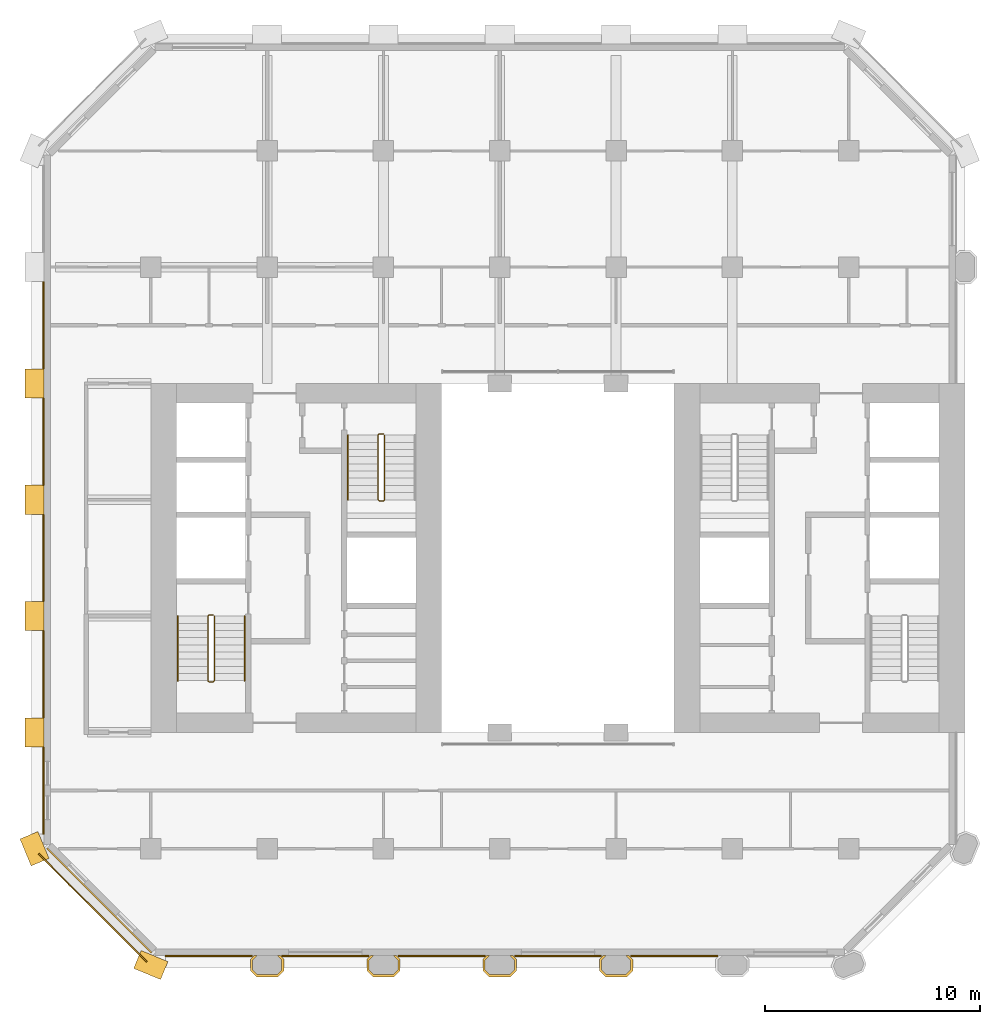
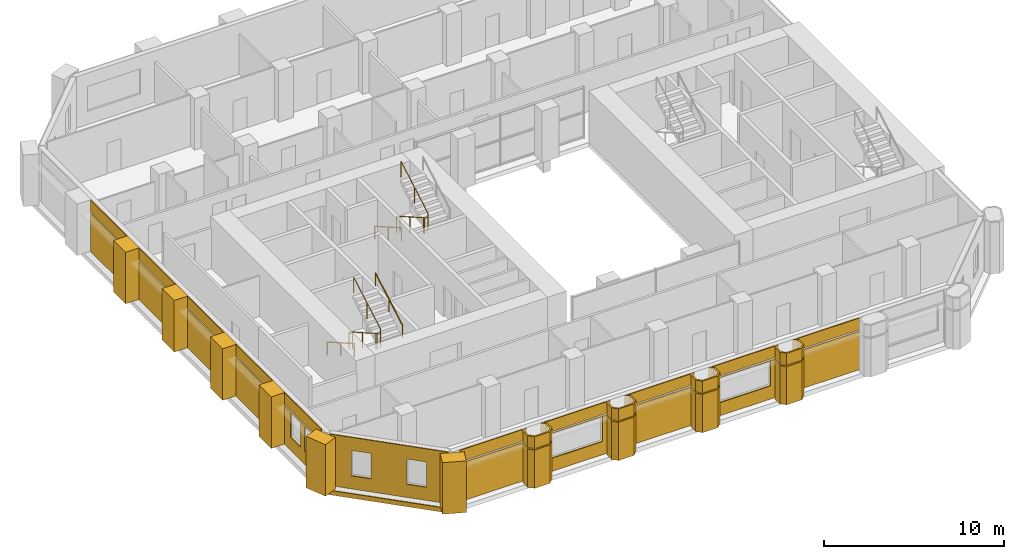
# One storey, part 11 of 12: 36 coverings, 5 railings.
"""IFC4 building model written with IfcOpenShell, lengths in metres."""

from ifc_helpers import new_model, si_unit, direction, frame, frame_2d, origin, origin_2d, place, context, subcontext, project, spatial, polyline, rectangle, circle, outline, extrude, material, layer, layer_set, type_object, element, save


model = new_model("IFC4")

# Units and contexts
model_context = context("Model", 3, precision=1e-05, world=origin(), true_north=direction((0.0, 1.0)))
body_context = subcontext(model_context, "Body", "Model", "MODEL_VIEW")
ifc_project = project(units=[si_unit("LENGTHUNIT", "METRE"), si_unit("AREAUNIT", "SQUARE_METRE"), si_unit("VOLUMEUNIT", "CUBIC_METRE"), si_unit("PLANEANGLEUNIT", "RADIAN"), si_unit("MASSUNIT", "GRAM", prefix="KILO")], contexts=[model_context])

# Site, building, storey
site_placement = place(None, origin())
site = spatial("IfcSite", under=ifc_project, at=site_placement, CompositionType="ELEMENT")
building_placement = place(site_placement, origin())
building = spatial("IfcBuilding", under=site, at=building_placement, Name="Tabaq Tower and Sports Hall", CompositionType="ELEMENT")
storey_placement = place(building_placement, frame((0.0, 0.0, 99.199951171875)))
storey = spatial("IfcBuildingStorey", under=building, at=storey_placement, Name="L23", CompositionType="ELEMENT", Elevation=99.199951171875)

# Coverings
ifc_material_1 = material(Name="Precast concrete C60/75", Category="concrete")
ifc_layer_1 = layer(ifc_material_1, 0.10009765625)
ifc_layer_set_1 = layer_set([ifc_layer_1], Name="Column cladding 100")
covering_type_1 = type_object("IfcCoveringType", Name="Column cladding 100", PredefinedType="CLADDING", material=ifc_layer_set_1)
covering_1_placement = place(storey_placement, origin())
element("IfcCovering", 1, at=covering_1_placement, inside=storey, type_object=covering_type_1, Name="Column cladding L23 PC-3B-O3", PredefinedType="CLADDING", context=body_context, shape_type="SweptSolid", body=[
    extrude(outline(polyline([(10.025390625, 5.666259765625), (10.208740234375, 5.849609375), (10.349365234375, 5.849609375), (10.124755859375, 5.625244140625), (10.124755859375, 5.1748046875), (10.349853515625, 4.94970703125), (11.250244140625, 4.94970703125), (11.475341796875, 5.1748046875), (11.475341796875, 5.625244140625), (11.250732421875, 5.849609375), (11.391357421875, 5.849609375), (11.57470703125, 5.666259765625), (11.57470703125, 5.1337890625), (11.291259765625, 4.850341796875), (10.30859375, 4.850341796875), (10.025390625, 5.1337890625), (10.025390625, 5.666259765625)])), origin(), (0.0, 0.0, 1.0), 2.60009765625),
])
covering_2_placement = place(storey_placement, frame((0.0, 0.0, 2.699951171875)))
element("IfcCovering", 2, at=covering_2_placement, inside=storey, type_object=covering_type_1, Name="Column cladding L23 PC-3B-O3 2", PredefinedType="CLADDING", context=body_context, shape_type="SweptSolid", body=[
    extrude(outline(polyline([(10.025390625, 5.666259765625), (10.208740234375, 5.849609375), (10.349365234375, 5.849609375), (10.124755859375, 5.625244140625), (10.124755859375, 5.1748046875), (10.349853515625, 4.94970703125), (11.250244140625, 4.94970703125), (11.475341796875, 5.1748046875), (11.475341796875, 5.625244140625), (11.250732421875, 5.849609375), (11.391357421875, 5.849609375), (11.57470703125, 5.666259765625), (11.57470703125, 5.1337890625), (11.291259765625, 4.850341796875), (10.30859375, 4.850341796875), (10.025390625, 5.1337890625), (10.025390625, 5.666259765625)])), origin(), (0.0, 0.0, 1.0), 0.800048828125),
])
covering_3_placement = place(storey_placement, origin())
element("IfcCovering", 3, at=covering_3_placement, inside=storey, type_object=covering_type_1, Name="Column cladding L23 PC-4B-O3", PredefinedType="CLADDING", context=body_context, shape_type="SweptSolid", body=[
    extrude(outline(polyline([(15.42529296875, 5.666259765625), (15.608642578125, 5.849609375), (15.749267578125, 5.849609375), (15.524658203125, 5.625244140625), (15.524658203125, 5.1748046875), (15.749755859375, 4.94970703125), (16.650146484375, 4.94970703125), (16.875244140625, 5.1748046875), (16.875244140625, 5.625244140625), (16.650634765625, 5.849609375), (16.791259765625, 5.849609375), (16.974609375, 5.666259765625), (16.974609375, 5.1337890625), (16.69140625, 4.850341796875), (15.708740234375, 4.850341796875), (15.42529296875, 5.1337890625), (15.42529296875, 5.666259765625)])), origin(), (0.0, 0.0, 1.0), 2.60009765625),
])
covering_4_placement = place(storey_placement, frame((0.0, 0.0, 2.699951171875)))
element("IfcCovering", 4, at=covering_4_placement, inside=storey, type_object=covering_type_1, Name="Column cladding L23 PC-4B-O3 2", PredefinedType="CLADDING", context=body_context, shape_type="SweptSolid", body=[
    extrude(outline(polyline([(15.42529296875, 5.666259765625), (15.608642578125, 5.849609375), (15.749267578125, 5.849609375), (15.524658203125, 5.625244140625), (15.524658203125, 5.1748046875), (15.749755859375, 4.94970703125), (16.650146484375, 4.94970703125), (16.875244140625, 5.1748046875), (16.875244140625, 5.625244140625), (16.650634765625, 5.849609375), (16.791259765625, 5.849609375), (16.974609375, 5.666259765625), (16.974609375, 5.1337890625), (16.69140625, 4.850341796875), (15.708740234375, 4.850341796875), (15.42529296875, 5.1337890625), (15.42529296875, 5.666259765625)])), origin(), (0.0, 0.0, 1.0), 0.800048828125),
])
covering_5_placement = place(storey_placement, origin())
element("IfcCovering", 5, at=covering_5_placement, inside=storey, type_object=covering_type_1, Name="Column cladding L23 PC-5B-O3", PredefinedType="CLADDING", context=body_context, shape_type="SweptSolid", body=[
    extrude(outline(polyline([(20.8251953125, 5.666259765625), (21.0087890625, 5.849609375), (21.149169921875, 5.849609375), (20.9248046875, 5.625244140625), (20.9248046875, 5.1748046875), (21.14990234375, 4.94970703125), (22.050048828125, 4.94970703125), (22.275390625, 5.1748046875), (22.275390625, 5.625244140625), (22.05078125, 5.849609375), (22.19140625, 5.849609375), (22.374755859375, 5.666259765625), (22.374755859375, 5.1337890625), (22.09130859375, 4.850341796875), (21.108642578125, 4.850341796875), (20.8251953125, 5.1337890625), (20.8251953125, 5.666259765625)])), origin(), (0.0, 0.0, 1.0), 2.60009765625),
])
covering_6_placement = place(storey_placement, frame((0.0, 0.0, 2.699951171875)))
element("IfcCovering", 6, at=covering_6_placement, inside=storey, type_object=covering_type_1, Name="Column cladding L23 PC-5B-O3 2", PredefinedType="CLADDING", context=body_context, shape_type="SweptSolid", body=[
    extrude(outline(polyline([(20.8251953125, 5.666259765625), (21.0087890625, 5.849609375), (21.149169921875, 5.849609375), (20.9248046875, 5.625244140625), (20.9248046875, 5.1748046875), (21.14990234375, 4.94970703125), (22.050048828125, 4.94970703125), (22.275390625, 5.1748046875), (22.275390625, 5.625244140625), (22.05078125, 5.849609375), (22.19140625, 5.849609375), (22.374755859375, 5.666259765625), (22.374755859375, 5.1337890625), (22.09130859375, 4.850341796875), (21.108642578125, 4.850341796875), (20.8251953125, 5.1337890625), (20.8251953125, 5.666259765625)])), origin(), (0.0, 0.0, 1.0), 0.800048828125),
])
covering_7_placement = place(storey_placement, origin())
element("IfcCovering", 7, at=covering_7_placement, inside=storey, type_object=covering_type_1, Name="Column cladding L23 PC-6B-O3", PredefinedType="CLADDING", context=body_context, shape_type="SweptSolid", body=[
    extrude(outline(polyline([(26.225341796875, 5.666259765625), (26.40869140625, 5.849609375), (26.54931640625, 5.849609375), (26.32470703125, 5.625244140625), (26.32470703125, 5.1748046875), (26.5498046875, 4.94970703125), (27.4501953125, 4.94970703125), (27.67529296875, 5.1748046875), (27.67529296875, 5.625244140625), (27.45068359375, 5.849609375), (27.59130859375, 5.849609375), (27.774658203125, 5.666259765625), (27.774658203125, 5.1337890625), (27.4912109375, 4.850341796875), (26.5087890625, 4.850341796875), (26.225341796875, 5.1337890625), (26.225341796875, 5.666259765625)])), origin(), (0.0, 0.0, 1.0), 2.60009765625),
])
covering_8_placement = place(storey_placement, frame((0.0, 0.0, 2.699951171875)))
element("IfcCovering", 8, at=covering_8_placement, inside=storey, type_object=covering_type_1, Name="Column cladding L23 PC-6B-O3 2", PredefinedType="CLADDING", context=body_context, shape_type="SweptSolid", body=[
    extrude(outline(polyline([(26.225341796875, 5.666259765625), (26.40869140625, 5.849609375), (26.54931640625, 5.849609375), (26.32470703125, 5.625244140625), (26.32470703125, 5.1748046875), (26.5498046875, 4.94970703125), (27.4501953125, 4.94970703125), (27.67529296875, 5.1748046875), (27.67529296875, 5.625244140625), (27.45068359375, 5.849609375), (27.59130859375, 5.849609375), (27.774658203125, 5.666259765625), (27.774658203125, 5.1337890625), (27.4912109375, 4.850341796875), (26.5087890625, 4.850341796875), (26.225341796875, 5.1337890625), (26.225341796875, 5.666259765625)])), origin(), (0.0, 0.0, 1.0), 0.800048828125),
])
ifc_material_2 = material(Name="Precast concrete C60/75", Category="concrete")
ifc_layer_2 = layer(ifc_material_2, 0.06005859375)
ifc_layer_set_2 = layer_set([ifc_layer_2], Name="Edge beam cladding 60")
covering_type_2 = type_object("IfcCoveringType", Name="Edge beam cladding 60", PredefinedType="CLADDING", material=ifc_layer_set_2)
covering_9_placement = place(storey_placement, frame((0.18994140625, 10.567626953125, -0.300048828125), z_axis=(0.0, 0.0, 1.0), x_axis=(0.707106781187, -0.707106781187, 0.0)))
element("IfcCovering", 9, at=covering_9_placement, inside=storey, type_object=covering_type_2, Name="Edge beam cladding L23 5", PredefinedType="CLADDING", context=body_context, shape_type="SweptSolid", body=[
    extrude(rectangle(XDim=7.087890625, YDim=0.06005859375, at=frame_2d((3.5439453125, 0.0))), origin(), (0.0, 0.0, 1.0), 0.300048828125),
])
ifc_material_3 = material(Name="White precast concrete C60/75", Category="concrete")
covering_type_3 = type_object("IfcCoveringType", Name="Pier cladding hung 1350x900", PredefinedType="CLADDING", material=ifc_material_3)
for number, where, z_axis, x_axis, name in (
    (10, (-0.25830078125, 11.423583984375, 0.0), (0.0, 0.0, 1.0), (0.382649923473, -0.923893411637, 0.0), "Hung pier cladding 0/2"),
    (11, (0.0, 16.875, 0.0), (0.0, 0.0, 1.0), (0.0, -1.0, 0.0), "Hung pier cladding 0/3"),
):
    element("IfcCovering", number, at=place(storey_placement, frame(where, z_axis=z_axis, x_axis=x_axis)), inside=storey, type_object=covering_type_3, Name=name, PredefinedType="CLADDING", context=body_context, shape_type="SweptSolid", body=[
        extrude(rectangle(XDim=1.35009765625, YDim=0.89990234375, at=frame_2d((0.675048828125, 0.0))), origin(), (0.0, 0.0, 1.0), 3.5),
    ])
covering_10_placement = place(storey_placement, frame((0.0, 22.27490234375, 0.0), z_axis=(0.0, 0.0, 1.0), x_axis=(0.0, -1.0, 0.0)))
element("IfcCovering", 12, at=covering_10_placement, inside=storey, type_object=covering_type_3, Name="Hung pier cladding 0/4", PredefinedType="CLADDING", context=body_context, shape_type="SweptSolid", body=[
    extrude(rectangle(XDim=1.349853515625, YDim=0.89990234375, at=frame_2d((0.6748046875, 0.0))), origin(), (0.0, 0.0, 1.0), 3.5),
])
covering_11_placement = place(storey_placement, frame((0.0, 27.675048828125, 0.0), z_axis=(0.0, 0.0, 1.0), x_axis=(0.0, -1.0, 0.0)))
element("IfcCovering", 13, at=covering_11_placement, inside=storey, type_object=covering_type_3, Name="Hung pier cladding 0/5", PredefinedType="CLADDING", context=body_context, shape_type="SweptSolid", body=[
    extrude(rectangle(XDim=1.35009765625, YDim=0.89990234375, at=frame_2d((0.675048828125, 0.0))), origin(), (0.0, 0.0, 1.0), 3.5),
])
covering_12_placement = place(storey_placement, frame((0.0, 33.074951171875, 0.0), z_axis=(0.0, 0.0, 1.0), x_axis=(0.0, -1.0, 0.0)))
element("IfcCovering", 14, at=covering_12_placement, inside=storey, type_object=covering_type_3, Name="Hung pier cladding 0/6", PredefinedType="CLADDING", context=body_context, shape_type="SweptSolid", body=[
    extrude(rectangle(XDim=1.349853515625, YDim=0.89990234375, at=frame_2d((0.6748046875, 0.0))), origin(), (0.0, 0.0, 1.0), 3.5),
])
covering_13_placement = place(storey_placement, frame((4.7763671875, 5.658203125, 0.0), z_axis=(0.0, 0.0, 1.0), x_axis=(0.923893411637, -0.382649923473, 0.0)))
element("IfcCovering", 15, at=covering_13_placement, inside=storey, type_object=covering_type_3, Name="Hung pier cladding 1/1", PredefinedType="CLADDING", context=body_context, shape_type="SweptSolid", body=[
    extrude(rectangle(XDim=1.35009765625, YDim=0.89990234375, at=frame_2d((0.675048828125, 0.0))), origin(), (0.0, 0.0, 1.0), 3.5),
])

# Railings
ifc_material_4 = material(Name="Stainless steel", Category="steel")
railing_type_1 = type_object("IfcRailingType", Name="Stair guard", PredefinedType="GUARDRAIL", material=ifc_material_4)
railing_1_placement = place(storey_placement, frame((8.300048828125, 21.64990234375, 0.0)))
element("IfcRailing", 16, at=railing_1_placement, inside=storey, type_object=railing_type_1, Name="L23 ST1 stair guard 1", PredefinedType="GUARDRAIL", context=body_context, shape_type="SweptSolid", body=[
    extrude(circle(Radius=0.02392578125, at=origin_2d()), frame((0.0, 0.0, 1.076171875), z_axis=(-1.0, 0.0, 0.0), x_axis=(0.0, -1.0, 0.0)), (0.0, 0.0, 1.0), 0.199951171875),
    extrude(circle(Radius=0.02392578125, at=origin_2d()), frame((-0.199951171875, 0.0, 1.076171875), z_axis=(-0.246983470365, -0.245778672949, 0.937332389972), x_axis=(0.705375805398, -0.708833529934, 0.0)), (0.0, 0.0, 1.0), 0.20263671875),
    extrude(circle(Radius=0.02392578125, at=origin_2d()), frame((-0.25, -0.0498046875, 1.26611328125), z_axis=(0.0, -0.868751719353, 0.495247867356), x_axis=(1.0, 0.0, 0.0)), (0.0, 0.0, 1.0), 3.453125),
    extrude(circle(Radius=0.02392578125, at=origin_2d()), frame((-0.25, -3.0498046875, 2.97607421875), z_axis=(0.707106781187, -0.707106781187, 0.0), x_axis=(0.707106781187, 0.707106781187, 0.0)), (0.0, 0.0, 1.0), 0.07080078125),
    extrude(circle(Radius=0.02392578125, at=origin_2d()), frame((-0.199951171875, -3.099853515625, 2.97607421875), z_axis=(1.0, 0.0, 0.0), x_axis=(0.0, 1.0, 0.0)), (0.0, 0.0, 1.0), 0.199951171875),
    extrude(circle(Radius=0.02392578125, at=origin_2d()), frame((0.0, -3.099853515625, 2.97607421875), z_axis=(0.246910188598, 0.246910188598, 0.937054276727), x_axis=(-0.707106781187, 0.707106781187, 0.0)), (0.0, 0.0, 1.0), 0.20263671875),
    extrude(circle(Radius=0.02392578125, at=origin_2d()), frame((0.050048828125, -3.0498046875, 3.166015625), z_axis=(0.0, 0.868782136927, 0.495194505781), x_axis=(-1.0, 0.0, 0.0)), (0.0, 0.0, 1.0), 3.453125),
    extrude(circle(Radius=0.02099609375, at=origin_2d()), origin(), (0.0, 0.0, 1.0), 1.052001953125),
    extrude(circle(Radius=0.02099609375, at=origin_2d()), frame((-0.199951171875, 0.0, 0.0)), (0.0, 0.0, 1.0), 1.052001953125),
    extrude(circle(Radius=0.02099609375, at=origin_2d()), frame((-0.25, -0.0498046875, 0.18994140625)), (0.0, 0.0, 1.0), 1.052001953125),
    extrude(circle(Radius=0.02099609375, at=origin_2d()), frame((-0.25, -1.5498046875, 1.044921875)), (0.0, 0.0, 1.0), 1.052001953125),
    extrude(circle(Radius=0.02099609375, at=origin_2d()), frame((-0.25, -3.0498046875, 1.900146484375)), (0.0, 0.0, 1.0), 1.052001953125),
    extrude(circle(Radius=0.02099609375, at=origin_2d()), frame((-0.199951171875, -3.099853515625, 1.900146484375)), (0.0, 0.0, 1.0), 1.052001953125),
    extrude(circle(Radius=0.02099609375, at=origin_2d()), frame((0.0, -3.099853515625, 1.900146484375)), (0.0, 0.0, 1.0), 1.052001953125),
    extrude(circle(Radius=0.02099609375, at=origin_2d()), frame((0.050048828125, -3.0498046875, 2.090087890625)), (0.0, 0.0, 1.0), 1.052001953125),
    extrude(circle(Radius=0.02099609375, at=origin_2d()), frame((0.050048828125, -1.5498046875, 2.945068359375)), (0.0, 0.0, 1.0), 1.052001953125),
    extrude(circle(Radius=0.02099609375, at=origin_2d()), frame((0.050048828125, -0.0498046875, 3.800048828125)), (0.0, 0.0, 1.0), 1.052001953125),
])
railing_2_placement = place(storey_placement, frame((16.199951171875, 30.050048828125, 0.0)))
element("IfcRailing", 17, at=railing_2_placement, inside=storey, type_object=railing_type_1, Name="L23 ST2 stair guard 1", PredefinedType="GUARDRAIL", context=body_context, shape_type="SweptSolid", body=[
    extrude(circle(Radius=0.02392578125, at=origin_2d()), frame((0.0, 0.0, 1.076171875), z_axis=(-1.0, 0.0, 0.0), x_axis=(0.0, -1.0, 0.0)), (0.0, 0.0, 1.0), 0.199951171875),
    extrude(circle(Radius=0.02392578125, at=origin_2d()), frame((-0.199951171875, 0.0, 1.076171875), z_axis=(-0.246910188598, -0.246910188598, 0.937054276727), x_axis=(0.707106781187, -0.707106781187, 0.0)), (0.0, 0.0, 1.0), 0.20263671875),
    extrude(circle(Radius=0.02392578125, at=origin_2d()), frame((-0.25, -0.050048828125, 1.26611328125), z_axis=(0.0, -0.868751719353, 0.495247867356), x_axis=(1.0, 0.0, 0.0)), (0.0, 0.0, 1.0), 3.453125),
    extrude(circle(Radius=0.02392578125, at=origin_2d()), frame((-0.25, -3.050048828125, 2.97607421875), z_axis=(0.707106781187, -0.707106781187, 0.0), x_axis=(0.707106781187, 0.707106781187, 0.0)), (0.0, 0.0, 1.0), 0.07080078125),
    extrude(circle(Radius=0.02392578125, at=origin_2d()), frame((-0.199951171875, -3.10009765625, 2.97607421875), z_axis=(1.0, 0.0, 0.0), x_axis=(0.0, 1.0, 0.0)), (0.0, 0.0, 1.0), 0.199951171875),
    extrude(circle(Radius=0.02392578125, at=origin_2d()), frame((0.0, -3.10009765625, 2.97607421875), z_axis=(0.246910188598, 0.246910188598, 0.937054276727), x_axis=(-0.707106781187, 0.707106781187, 0.0)), (0.0, 0.0, 1.0), 0.20263671875),
    extrude(circle(Radius=0.02392578125, at=origin_2d()), frame((0.050048828125, -3.050048828125, 3.166015625), z_axis=(0.0, 0.868782136927, 0.495194505781), x_axis=(-1.0, 0.0, 0.0)), (0.0, 0.0, 1.0), 3.453125),
    extrude(circle(Radius=0.02099609375, at=origin_2d()), origin(), (0.0, 0.0, 1.0), 1.052001953125),
    extrude(circle(Radius=0.02099609375, at=origin_2d()), frame((-0.199951171875, 0.0, 0.0)), (0.0, 0.0, 1.0), 1.052001953125),
    extrude(circle(Radius=0.02099609375, at=origin_2d()), frame((-0.25, -0.050048828125, 0.18994140625)), (0.0, 0.0, 1.0), 1.052001953125),
    extrude(circle(Radius=0.02099609375, at=origin_2d()), frame((-0.25, -1.550048828125, 1.044921875)), (0.0, 0.0, 1.0), 1.052001953125),
    extrude(circle(Radius=0.02099609375, at=origin_2d()), frame((-0.25, -3.050048828125, 1.900146484375)), (0.0, 0.0, 1.0), 1.052001953125),
    extrude(circle(Radius=0.02099609375, at=origin_2d()), frame((-0.199951171875, -3.10009765625, 1.900146484375)), (0.0, 0.0, 1.0), 1.052001953125),
    extrude(circle(Radius=0.02099609375, at=origin_2d()), frame((0.0, -3.10009765625, 1.900146484375)), (0.0, 0.0, 1.0), 1.052001953125),
    extrude(circle(Radius=0.02099609375, at=origin_2d()), frame((0.050048828125, -3.050048828125, 2.090087890625)), (0.0, 0.0, 1.0), 1.052001953125),
    extrude(circle(Radius=0.02099609375, at=origin_2d()), frame((0.050048828125, -1.550048828125, 2.945068359375)), (0.0, 0.0, 1.0), 1.052001953125),
    extrude(circle(Radius=0.02099609375, at=origin_2d()), frame((0.050048828125, -0.050048828125, 3.800048828125)), (0.0, 0.0, 1.0), 1.052001953125),
])
ifc_material_5 = material(Name="Stainless steel", Category="steel")
railing_type_2 = type_object("IfcRailingType", Name="Stair handrail", PredefinedType="HANDRAIL", material=ifc_material_5)
railing_3_placement = place(storey_placement, frame((6.64990234375, 21.60009765625, 0.18994140625)))
element("IfcRailing", 18, at=railing_3_placement, inside=storey, type_object=railing_type_2, Name="L23 ST1 stair handrail 1", PredefinedType="HANDRAIL", context=body_context, shape_type="SweptSolid", body=[
    extrude(circle(Radius=0.02392578125, at=origin_2d()), frame((0.0, 0.0, 0.8759765625), z_axis=(0.0, -0.868751719353, 0.495247867356), x_axis=(1.0, 0.0, 0.0)), (0.0, 0.0, 1.0), 3.453125),
    extrude(circle(Radius=0.02099609375, at=origin_2d()), origin(), (0.0, 0.0, 1.0), 0.851806640625),
    extrude(circle(Radius=0.02099609375, at=origin_2d()), frame((0.0, -1.5, 0.85498046875)), (0.0, 0.0, 1.0), 0.851806640625),
    extrude(circle(Radius=0.02099609375, at=origin_2d()), frame((0.0, -3.0, 1.710205078125)), (0.0, 0.0, 1.0), 0.851806640625),
])
railing_4_placement = place(storey_placement, frame((9.75, 18.60009765625, 2.090087890625)))
element("IfcRailing", 19, at=railing_4_placement, inside=storey, type_object=railing_type_2, Name="L23 ST1 stair handrail 2", PredefinedType="HANDRAIL", context=body_context, shape_type="SweptSolid", body=[
    extrude(circle(Radius=0.02392578125, at=origin_2d()), frame((0.0, 0.0, 0.8759765625), z_axis=(0.0, 0.868782136927, 0.495194505781), x_axis=(-1.0, 0.0, 0.0)), (0.0, 0.0, 1.0), 3.453125),
    extrude(circle(Radius=0.02099609375, at=origin_2d()), origin(), (0.0, 0.0, 1.0), 0.851806640625),
    extrude(circle(Radius=0.02099609375, at=origin_2d()), frame((0.0, 1.5, 0.85498046875)), (0.0, 0.0, 1.0), 0.851806640625),
    extrude(circle(Radius=0.02099609375, at=origin_2d()), frame((0.0, 3.0, 1.7099609375)), (0.0, 0.0, 1.0), 0.851806640625),
])
railing_5_placement = place(storey_placement, frame((14.550048828125, 30.0, 0.18994140625)))
element("IfcRailing", 20, at=railing_5_placement, inside=storey, type_object=railing_type_2, Name="L23 ST2 stair handrail 1", PredefinedType="HANDRAIL", context=body_context, shape_type="SweptSolid", body=[
    extrude(circle(Radius=0.02392578125, at=origin_2d()), frame((0.0, 0.0, 0.8759765625), z_axis=(0.0, -0.868751719353, 0.495247867356), x_axis=(1.0, 0.0, 0.0)), (0.0, 0.0, 1.0), 3.453125),
    extrude(circle(Radius=0.02099609375, at=origin_2d()), origin(), (0.0, 0.0, 1.0), 0.851806640625),
    extrude(circle(Radius=0.02099609375, at=origin_2d()), frame((0.0, -1.5, 0.85498046875)), (0.0, 0.0, 1.0), 0.851806640625),
    extrude(circle(Radius=0.02099609375, at=origin_2d()), frame((0.0, -3.0, 1.710205078125)), (0.0, 0.0, 1.0), 0.851806640625),
])

# Coverings
ifc_material_6 = material(Name="Precast concrete C60/75", Category="concrete")
ifc_layer_3 = layer(ifc_material_6, 0.06005859375)
ifc_layer_set_3 = layer_set([ifc_layer_3], Name="White precast cladding panel 60 C60/75")
covering_type_4 = type_object("IfcCoveringType", Name="White precast cladding panel 60 C60/75", PredefinedType="CLADDING", material=ifc_layer_set_3)
covering_14_placement = place(storey_placement, frame((6.06494140625, 5.820068359375, 0.0), z_axis=(0.0, 0.0, 1.0), x_axis=(1.0, 0.0, 0.0)))
element("IfcCovering", 21, at=covering_14_placement, inside=storey, type_object=covering_type_4, Name="White precast cladding panel L23 wall00", PredefinedType="CLADDING", context=body_context, shape_type="SweptSolid", body=[
    extrude(rectangle(XDim=4.050048828125, YDim=0.06005859375, at=frame_2d((2.02490234375, 0.0))), origin(), (0.0, 0.0, 1.0), 2.590087890625),
])
covering_15_placement = place(storey_placement, frame((6.06494140625, 5.820068359375, 2.7099609375), z_axis=(0.0, 0.0, 1.0), x_axis=(1.0, 0.0, 0.0)))
element("IfcCovering", 22, at=covering_15_placement, inside=storey, type_object=covering_type_4, Name="White precast cladding panel L23 wall00 2", PredefinedType="CLADDING", context=body_context, shape_type="SweptSolid", body=[
    extrude(rectangle(XDim=4.050048828125, YDim=0.06005859375, at=frame_2d((2.02490234375, 0.0))), origin(), (0.0, 0.0, 1.0), 0.7900390625),
])
covering_16_placement = place(storey_placement, frame((11.485107421875, 5.820068359375, 0.0), z_axis=(0.0, 0.0, 1.0), x_axis=(1.0, 0.0, 0.0)))
element("IfcCovering", 23, at=covering_16_placement, inside=storey, type_object=covering_type_4, Name="White precast cladding panel L23 wall00 3", PredefinedType="CLADDING", context=body_context, shape_type="SweptSolid", body=[
    extrude(outline(polyline([(0.0, 0.0), (4.02978515625, 0.0), (4.02978515625, 2.590087890625), (0.0, 2.590087890625), (0.0, 0.0)]), holes=[polyline([(3.72509765625, 0.89013671875), (0.304931640625, 0.89013671875), (0.304931640625, 2.56005859375), (3.72509765625, 2.56005859375), (3.72509765625, 0.89013671875)])]), frame((0.0, 0.030029296875, 0.0), z_axis=(0.0, -1.0, 0.0), x_axis=(1.0, 0.0, 0.0)), (0.0, 0.0, 1.0), 0.06005859375),
])
covering_17_placement = place(storey_placement, frame((11.485107421875, 5.820068359375, 2.7099609375), z_axis=(0.0, 0.0, 1.0), x_axis=(1.0, 0.0, 0.0)))
element("IfcCovering", 24, at=covering_17_placement, inside=storey, type_object=covering_type_4, Name="White precast cladding panel L23 wall00 4", PredefinedType="CLADDING", context=body_context, shape_type="SweptSolid", body=[
    extrude(rectangle(XDim=4.02978515625, YDim=0.06005859375, at=frame_2d((2.014892578125, 0.0))), origin(), (0.0, 0.0, 1.0), 0.7900390625),
])
covering_18_placement = place(storey_placement, frame((16.885009765625, 5.820068359375, 0.0), z_axis=(0.0, 0.0, 1.0), x_axis=(1.0, 0.0, 0.0)))
element("IfcCovering", 25, at=covering_18_placement, inside=storey, type_object=covering_type_4, Name="White precast cladding panel L23 wall00 5", PredefinedType="CLADDING", context=body_context, shape_type="SweptSolid", body=[
    extrude(rectangle(XDim=4.030029296875, YDim=0.06005859375, at=frame_2d((2.01513671875, 0.0))), origin(), (0.0, 0.0, 1.0), 2.590087890625),
])
covering_19_placement = place(storey_placement, frame((16.885009765625, 5.820068359375, 2.7099609375), z_axis=(0.0, 0.0, 1.0), x_axis=(1.0, 0.0, 0.0)))
element("IfcCovering", 26, at=covering_19_placement, inside=storey, type_object=covering_type_4, Name="White precast cladding panel L23 wall00 6", PredefinedType="CLADDING", context=body_context, shape_type="SweptSolid", body=[
    extrude(rectangle(XDim=4.030029296875, YDim=0.06005859375, at=frame_2d((2.01513671875, 0.0))), origin(), (0.0, 0.0, 1.0), 0.7900390625),
])
covering_20_placement = place(storey_placement, frame((22.284912109375, 5.820068359375, 0.0), z_axis=(0.0, 0.0, 1.0), x_axis=(1.0, 0.0, 0.0)))
element("IfcCovering", 27, at=covering_20_placement, inside=storey, type_object=covering_type_4, Name="White precast cladding panel L23 wall00 7", PredefinedType="CLADDING", context=body_context, shape_type="SweptSolid", body=[
    extrude(outline(polyline([(0.0, 0.0), (4.030029296875, 0.0), (4.030029296875, 2.590087890625), (0.0, 2.590087890625), (0.0, 0.0)]), holes=[polyline([(3.72509765625, 0.89013671875), (0.304931640625, 0.89013671875), (0.304931640625, 2.56005859375), (3.72509765625, 2.56005859375), (3.72509765625, 0.89013671875)])]), frame((0.0, 0.030029296875, 0.0), z_axis=(0.0, -1.0, 0.0), x_axis=(1.0, 0.0, 0.0)), (0.0, 0.0, 1.0), 0.06005859375),
])
covering_21_placement = place(storey_placement, frame((22.284912109375, 5.820068359375, 2.7099609375), z_axis=(0.0, 0.0, 1.0), x_axis=(1.0, 0.0, 0.0)))
element("IfcCovering", 28, at=covering_21_placement, inside=storey, type_object=covering_type_4, Name="White precast cladding panel L23 wall00 8", PredefinedType="CLADDING", context=body_context, shape_type="SweptSolid", body=[
    extrude(rectangle(XDim=4.030029296875, YDim=0.06005859375, at=frame_2d((2.01513671875, 0.0))), origin(), (0.0, 0.0, 1.0), 0.7900390625),
])
covering_22_placement = place(storey_placement, frame((27.68505859375, 5.820068359375, 0.0), z_axis=(0.0, 0.0, 1.0), x_axis=(1.0, 0.0, 0.0)))
element("IfcCovering", 29, at=covering_22_placement, inside=storey, type_object=covering_type_4, Name="White precast cladding panel L23 wall00 9", PredefinedType="CLADDING", context=body_context, shape_type="SweptSolid", body=[
    extrude(rectangle(XDim=4.030029296875, YDim=0.06005859375, at=frame_2d((2.01513671875, 0.0))), origin(), (0.0, 0.0, 1.0), 2.590087890625),
])
covering_23_placement = place(storey_placement, frame((27.68505859375, 5.820068359375, 2.7099609375), z_axis=(0.0, 0.0, 1.0), x_axis=(1.0, 0.0, 0.0)))
element("IfcCovering", 30, at=covering_23_placement, inside=storey, type_object=covering_type_4, Name="White precast cladding panel L23 wall00 10", PredefinedType="CLADDING", context=body_context, shape_type="SweptSolid", body=[
    extrude(rectangle(XDim=4.030029296875, YDim=0.06005859375, at=frame_2d((2.01513671875, 0.0))), origin(), (0.0, 0.0, 1.0), 0.7900390625),
])
covering_24_placement = place(storey_placement, frame((0.419921875, 37.114990234375, 0.0), z_axis=(0.0, 0.0, 1.0), x_axis=(0.0, -1.0, 0.0)))
element("IfcCovering", 31, at=covering_24_placement, inside=storey, type_object=covering_type_4, Name="White precast cladding panel L23 wall06 3", PredefinedType="CLADDING", context=body_context, shape_type="SweptSolid", body=[
    extrude(rectangle(XDim=4.030029296875, YDim=0.06005859375, at=frame_2d((2.01513671875, 0.0))), origin(), (0.0, 0.0, 1.0), 2.590087890625),
])
covering_25_placement = place(storey_placement, frame((0.419921875, 37.114990234375, 2.7099609375), z_axis=(0.0, 0.0, 1.0), x_axis=(0.0, -1.0, 0.0)))
element("IfcCovering", 32, at=covering_25_placement, inside=storey, type_object=covering_type_4, Name="White precast cladding panel L23 wall06 4", PredefinedType="CLADDING", context=body_context, shape_type="SweptSolid", body=[
    extrude(rectangle(XDim=4.030029296875, YDim=0.06005859375, at=frame_2d((2.01513671875, 0.0))), origin(), (0.0, 0.0, 1.0), 0.7900390625),
])
covering_26_placement = place(storey_placement, frame((0.419921875, 31.715087890625, 0.0), z_axis=(0.0, 0.0, 1.0), x_axis=(0.0, -1.0, 0.0)))
element("IfcCovering", 33, at=covering_26_placement, inside=storey, type_object=covering_type_4, Name="White precast cladding panel L23 wall06 5", PredefinedType="CLADDING", context=body_context, shape_type="SweptSolid", body=[
    extrude(rectangle(XDim=4.030029296875, YDim=0.06005859375, at=frame_2d((2.01513671875, 0.0))), origin(), (0.0, 0.0, 1.0), 2.590087890625),
])
covering_27_placement = place(storey_placement, frame((0.419921875, 31.715087890625, 2.7099609375), z_axis=(0.0, 0.0, 1.0), x_axis=(0.0, -1.0, 0.0)))
element("IfcCovering", 34, at=covering_27_placement, inside=storey, type_object=covering_type_4, Name="White precast cladding panel L23 wall06 6", PredefinedType="CLADDING", context=body_context, shape_type="SweptSolid", body=[
    extrude(rectangle(XDim=4.030029296875, YDim=0.06005859375, at=frame_2d((2.01513671875, 0.0))), origin(), (0.0, 0.0, 1.0), 0.7900390625),
])
covering_28_placement = place(storey_placement, frame((0.419921875, 26.31494140625, 0.0), z_axis=(0.0, 0.0, 1.0), x_axis=(0.0, -1.0, 0.0)))
element("IfcCovering", 35, at=covering_28_placement, inside=storey, type_object=covering_type_4, Name="White precast cladding panel L23 wall06 7", PredefinedType="CLADDING", context=body_context, shape_type="SweptSolid", body=[
    extrude(rectangle(XDim=4.030029296875, YDim=0.06005859375, at=frame_2d((2.01513671875, 0.0))), origin(), (0.0, 0.0, 1.0), 2.590087890625),
])
covering_29_placement = place(storey_placement, frame((0.419921875, 26.31494140625, 2.7099609375), z_axis=(0.0, 0.0, 1.0), x_axis=(0.0, -1.0, 0.0)))
element("IfcCovering", 36, at=covering_29_placement, inside=storey, type_object=covering_type_4, Name="White precast cladding panel L23 wall06 8", PredefinedType="CLADDING", context=body_context, shape_type="SweptSolid", body=[
    extrude(rectangle(XDim=4.030029296875, YDim=0.06005859375, at=frame_2d((2.01513671875, 0.0))), origin(), (0.0, 0.0, 1.0), 0.7900390625),
])
covering_30_placement = place(storey_placement, frame((0.419921875, 20.9150390625, 0.0), z_axis=(0.0, 0.0, 1.0), x_axis=(0.0, -1.0, 0.0)))
element("IfcCovering", 37, at=covering_30_placement, inside=storey, type_object=covering_type_4, Name="White precast cladding panel L23 wall06 9", PredefinedType="CLADDING", context=body_context, shape_type="SweptSolid", body=[
    extrude(rectangle(XDim=4.030029296875, YDim=0.06005859375, at=frame_2d((2.01513671875, 0.0))), origin(), (0.0, 0.0, 1.0), 2.590087890625),
])
covering_31_placement = place(storey_placement, frame((0.419921875, 20.9150390625, 2.7099609375), z_axis=(0.0, 0.0, 1.0), x_axis=(0.0, -1.0, 0.0)))
element("IfcCovering", 38, at=covering_31_placement, inside=storey, type_object=covering_type_4, Name="White precast cladding panel L23 wall06 10", PredefinedType="CLADDING", context=body_context, shape_type="SweptSolid", body=[
    extrude(rectangle(XDim=4.030029296875, YDim=0.06005859375, at=frame_2d((2.01513671875, 0.0))), origin(), (0.0, 0.0, 1.0), 0.7900390625),
])
covering_32_placement = place(storey_placement, frame((0.419921875, 15.514892578125, 0.0), z_axis=(0.0, 0.0, 1.0), x_axis=(0.0, -1.0, 0.0)))
element("IfcCovering", 39, at=covering_32_placement, inside=storey, type_object=covering_type_4, Name="White precast cladding panel L23 wall06 11", PredefinedType="CLADDING", context=body_context, shape_type="SweptSolid", body=[
    extrude(outline(polyline([(0.0, 0.0), (4.0498046875, 0.0), (4.0498046875, 2.590087890625), (0.0, 2.590087890625), (0.0, 0.0)]), holes=[polyline([(0.655029296875, 0.89013671875), (0.655029296875, 2.56005859375), (1.77490234375, 2.56005859375), (1.77490234375, 0.89013671875), (0.655029296875, 0.89013671875)]), polyline([(2.2548828125, 0.89013671875), (2.2548828125, 2.56005859375), (3.375, 2.56005859375), (3.375, 0.89013671875), (2.2548828125, 0.89013671875)])]), frame((0.0, 0.030029296875, 0.0), z_axis=(0.0, -1.0, 0.0), x_axis=(1.0, 0.0, 0.0)), (0.0, 0.0, 1.0), 0.06005859375),
])
covering_33_placement = place(storey_placement, frame((0.419921875, 15.514892578125, 2.7099609375), z_axis=(0.0, 0.0, 1.0), x_axis=(0.0, -1.0, 0.0)))
element("IfcCovering", 40, at=covering_33_placement, inside=storey, type_object=covering_type_4, Name="White precast cladding panel L23 wall06 12", PredefinedType="CLADDING", context=body_context, shape_type="SweptSolid", body=[
    extrude(rectangle(XDim=4.0498046875, YDim=0.06005859375, at=frame_2d((2.02490234375, 0.0))), origin(), (0.0, 0.0, 1.0), 0.7900390625),
])
covering_34_placement = place(storey_placement, frame((0.57177734375, 10.822265625, 0.0), z_axis=(0.0, 0.0, 1.0), x_axis=(0.707106781187, -0.707106781187, 0.0)))
element("IfcCovering", 41, at=covering_34_placement, inside=storey, type_object=covering_type_4, Name="White precast cladding panel L23 wall07", PredefinedType="CLADDING", context=body_context, shape_type="SweptSolid", body=[
    extrude(outline(polyline([(0.0, 0.0), (6.85986328125, 0.0), (6.85986328125, 3.5), (0.0, 3.5), (0.0, 0.0)]), holes=[polyline([(1.269775390625, 2.610107421875), (2.389892578125, 2.610107421875), (2.389892578125, 0.89013671875), (1.269775390625, 0.89013671875), (1.269775390625, 2.610107421875)]), polyline([(4.4697265625, 2.610107421875), (5.58984375, 2.610107421875), (5.58984375, 0.89013671875), (4.4697265625, 0.89013671875), (4.4697265625, 2.610107421875)])]), frame((0.0, 0.030029296875, 0.0), z_axis=(0.0, -1.0, 0.0), x_axis=(1.0, 0.0, 0.0)), (0.0, 0.0, 1.0), 0.06005859375),
])

save(model, "model.ifc")
